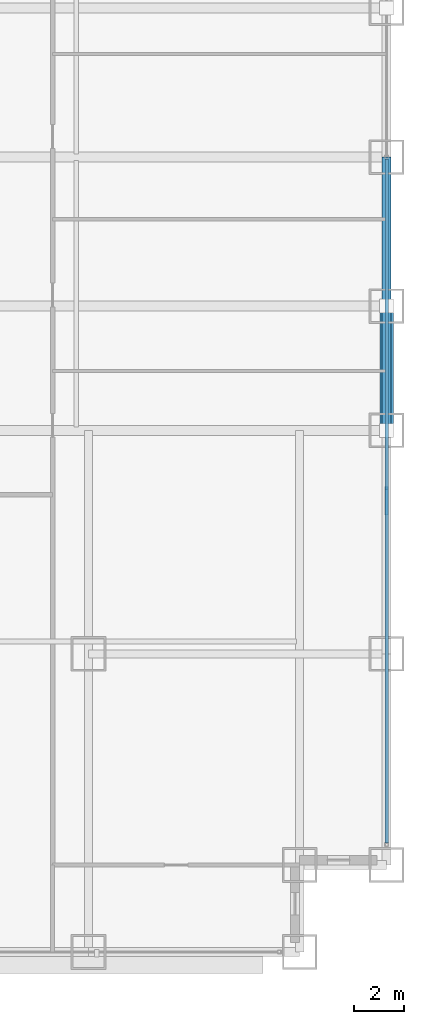
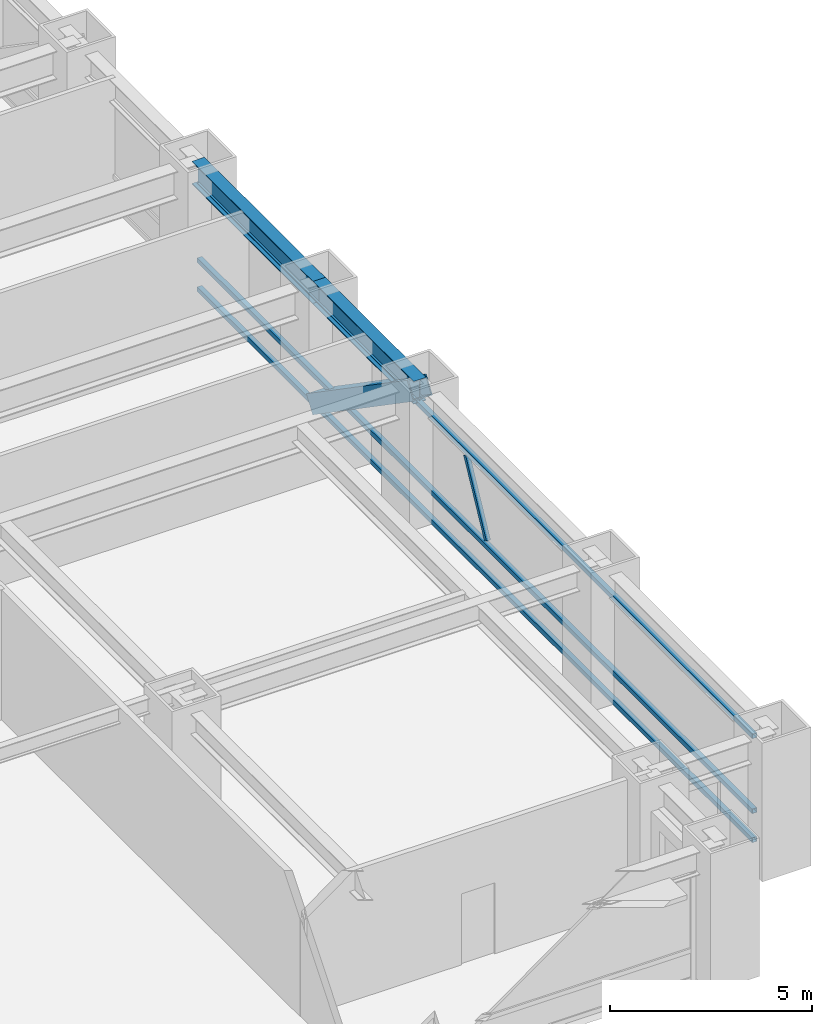
# One storey, part 13 of 32: 5 members, 2 beams, 1 element without a shape of its own.
"""IFC4 building model written with IfcOpenShell, lengths in metres."""

from ifc_helpers import new_model, si_unit, direction, frame, origin, origin_2d, place, context, subcontext, project, spatial, hollow_rectangle, i_section, extrude, source, transform, mapped, material, material_profile, profile_set, type_object, element, aggregate, save


model = new_model("IFC4")

# Units and contexts
model_context = context("Model", 3, precision=1e-05, world=origin(), true_north=direction((0.0, 1.0)))
body_context = subcontext(model_context, "Body", "Model", "MODEL_VIEW")
ifc_project = project(units=[si_unit("LENGTHUNIT", "METRE"), si_unit("AREAUNIT", "SQUARE_METRE"), si_unit("VOLUMEUNIT", "CUBIC_METRE"), si_unit("PLANEANGLEUNIT", "RADIAN"), si_unit("MASSUNIT", "GRAM", prefix="KILO")], contexts=[model_context])

# Site, building, storey
site_placement = place(None, origin())
site = spatial("IfcSite", under=ifc_project, at=site_placement, CompositionType="ELEMENT")
building_placement = place(site_placement, origin())
building = spatial("IfcBuilding", under=site, at=building_placement, Name="Khorayat Bourse Tower", CompositionType="ELEMENT")
storey_placement = place(building_placement, frame((0.0, 0.0, 74.60009765625)))
storey = spatial("IfcBuildingStorey", under=building, at=storey_placement, Name="L16", CompositionType="ELEMENT", Elevation=74.60009765625)

# Beams
ifc_material_1 = material(Name="Steel ASTM A992 Grade 50", Category="steel")
ifc_material_profile_1 = material_profile(ifc_material_1, i_section(OverallWidth=0.35498046875, OverallDepth=0.695068359375, WebThickness=0.015380859375, FlangeThickness=0.02490234375, FilletRadius=0.01806640625, at=origin_2d()), Name="W690X217")
ifc_profile_set_1 = profile_set([ifc_material_profile_1], Name="Steel ASTM A992 Grade 50")
beam_type = type_object("IfcBeamType", Name="BM-SPAN-690", PredefinedType="SPANDREL", material=ifc_profile_set_1)
shared_shape_1 = source(origin(), body_context, "Body", "SweptSolid", [
    extrude(i_section(OverallWidth=0.35498046875, OverallDepth=0.695068359375, WebThickness=0.015380859375, FlangeThickness=0.02490234375, FilletRadius=0.01806640625, at=origin_2d()), origin(), (0.0, 0.0, 1.0), 5.0),
])
beam_1_placement = place(storey_placement, frame((32.0, -11.0, 3.59228515625), z_axis=(0.0, 1.0, 0.0), x_axis=(-1.0, 0.0, 0.0)))
element("IfcBeam", 1, at=beam_1_placement, inside=storey, type_object=beam_type, Name="L16 BM-SPAN-690 BM-L16-SPN-036", PredefinedType="SPANDREL", context=body_context, shape_type="MappedRepresentation", body=[
    mapped(shared_shape_1, transform((0.0, 0.0, 0.0), scale=1.0)),
])
shared_shape_2 = source(origin(), body_context, "Body", "SweptSolid", [
    extrude(i_section(OverallWidth=0.35498046875, OverallDepth=0.695068359375, WebThickness=0.015380859375, FlangeThickness=0.02490234375, FilletRadius=0.01806640625, at=origin_2d()), origin(), (0.0, 0.0, 1.0), 6.0),
])
beam_2_placement = place(storey_placement, frame((32.0, -6.0, 3.59228515625), z_axis=(0.0, 1.0, 0.0), x_axis=(-1.0, 0.0, 0.0)))
element("IfcBeam", 2, at=beam_2_placement, inside=storey, type_object=beam_type, Name="L16 BM-SPAN-690 BM-L16-SPN-037", PredefinedType="SPANDREL", context=body_context, shape_type="MappedRepresentation", body=[
    mapped(shared_shape_2, transform((0.0, 0.0, 0.0), scale=1.0)),
])

# Member
ifc_material_2 = material(Name="Steel EN 10025-4 S460M", Category="steel")
ifc_material_profile_2 = material_profile(ifc_material_2, hollow_rectangle(XDim=0.550048828125, YDim=0.550048828125, WallThickness=0.031982421875, at=origin_2d()), Name="HSS 550x550x32")
ifc_profile_set_2 = profile_set([ifc_material_profile_2], Name="Steel EN 10025-4 S460M")
member_type_1 = type_object("IfcMemberType", Name="MBR-TUBE-550", PredefinedType="BRACE", material=ifc_profile_set_2)
shared_shape_3 = source(origin(), body_context, "Body", "SweptSolid", [
    extrude(hollow_rectangle(XDim=0.550048828125, YDim=0.550048828125, WallThickness=0.031982421875, at=origin_2d()), origin(), (0.0, 0.0, 1.0), 6.069091796875),
])
member_1_placement = place(storey_placement, frame((32.0, -11.0, 3.68994140625), z_axis=(0.0, 0.823854080622, -0.566801952928), x_axis=(-1.0, 0.0, 0.0)))
element("IfcMember", 3, at=member_1_placement, inside=storey, type_object=member_type_1, Name="L16 Perimeter Tube Brace 07", PredefinedType="BRACE", context=body_context, shape_type="MappedRepresentation", body=[
    mapped(shared_shape_3, transform((0.0, 0.0, 0.0), scale=1.0)),
])

# Curtain wall, members
ifc_material_3 = material(Name="Aluminium EN AW-6063 T6", Category="aluminium")
curtain_wall_type = type_object("IfcCurtainWallType", Name="CW-SYS-02", PredefinedType="NOTDEFINED", material=ifc_material_3)
curtain_wall_placement = place(storey_placement, origin())
curtain_wall = element("IfcCurtainWall", 4, at=curtain_wall_placement, inside=storey, type_object=curtain_wall_type, Name="L16 Curtain Wall CW-L16-E1", PredefinedType="NOTDEFINED")
ifc_material_profile_3 = material_profile(ifc_material_3, hollow_rectangle(XDim=0.1201171875, YDim=0.1201171875, WallThickness=0.0048828125, at=origin_2d()), Name="ALU 120x120x5")
ifc_profile_set_3 = profile_set([ifc_material_profile_3], Name="Aluminium EN AW-6063 T6")
member_type_2 = type_object("IfcMemberType", Name="CWM-DIAG-120", PredefinedType="MULLION", material=ifc_profile_set_3)
shared_shape_4 = source(origin(), body_context, "Body", "SweptSolid", [
    extrude(hollow_rectangle(XDim=0.1201171875, YDim=0.1201171875, WallThickness=0.0048828125, at=origin_2d()), origin(), (0.0, 0.0, 1.0), 2.22607421875),
])
member_2_placement = place(storey_placement, frame((32.0, -14.3583984375, 1.099853515625), z_axis=(0.0, 0.465759992596, 0.884911085532), x_axis=(-1.0, 0.0, 0.0)))
member_2 = element("IfcMember", 5, at=member_2_placement, type_object=member_type_2, Name="CW-L16-E1 Faceted Diagonal Mullion 1", PredefinedType="MULLION", context=body_context, shape_type="MappedRepresentation", body=[
    mapped(shared_shape_4, transform((0.0, 0.0, 0.0), scale=1.0)),
])
ifc_material_profile_4 = material_profile(ifc_material_3, hollow_rectangle(XDim=0.139892578125, YDim=0.139892578125, WallThickness=0.006103515625, at=origin_2d()), Name="ALU 140x140x6")
ifc_profile_set_4 = profile_set([ifc_material_profile_4], Name="Aluminium EN AW-6063 T6")
member_type_3 = type_object("IfcMemberType", Name="CWT-HORZ-140", PredefinedType="USERDEFINED", material=ifc_profile_set_4)
shared_shape_5 = source(origin(), body_context, "Body", "SweptSolid", [
    extrude(hollow_rectangle(XDim=0.139892578125, YDim=0.139892578125, WallThickness=0.006103515625, at=origin_2d()), origin(), (0.0, 0.0, 1.0), 27.5400390625),
])
member_3_placement = place(storey_placement, frame((32.0, -27.610107421875, 0.06982421875), z_axis=(0.0, 1.0, 0.0), x_axis=(-1.0, 0.0, 0.0)))
member_3 = element("IfcMember", 6, at=member_3_placement, type_object=member_type_3, Name="CW-L16-E1 Horizontal Transom 1-1", ObjectType="TRANSOM", PredefinedType="USERDEFINED", context=body_context, shape_type="MappedRepresentation", body=[
    mapped(shared_shape_5, transform((0.0, 0.0, 0.0), scale=1.0)),
])
member_4_placement = place(storey_placement, frame((32.0, -27.610107421875, 0.949951171875), z_axis=(0.0, 1.0, 0.0), x_axis=(-1.0, 0.0, 0.0)))
member_4 = element("IfcMember", 7, at=member_4_placement, type_object=member_type_3, Name="CW-L16-E1 Horizontal Transom 1-2", ObjectType="TRANSOM", PredefinedType="USERDEFINED", context=body_context, shape_type="MappedRepresentation", body=[
    mapped(shared_shape_5, transform((0.0, 0.0, 0.0), scale=1.0)),
])
member_5_placement = place(storey_placement, frame((32.0, -27.610107421875, 3.219970703125), z_axis=(0.0, 1.0, 0.0), x_axis=(-1.0, 0.0, 0.0)))
member_5 = element("IfcMember", 8, at=member_5_placement, type_object=member_type_3, Name="CW-L16-E1 Horizontal Transom 1-3", ObjectType="TRANSOM", PredefinedType="USERDEFINED", context=body_context, shape_type="MappedRepresentation", body=[
    mapped(shared_shape_5, transform((0.0, 0.0, 0.0), scale=1.0)),
])
aggregate(curtain_wall, [member_3, member_4, member_5, member_2])

save(model, "model.ifc")
